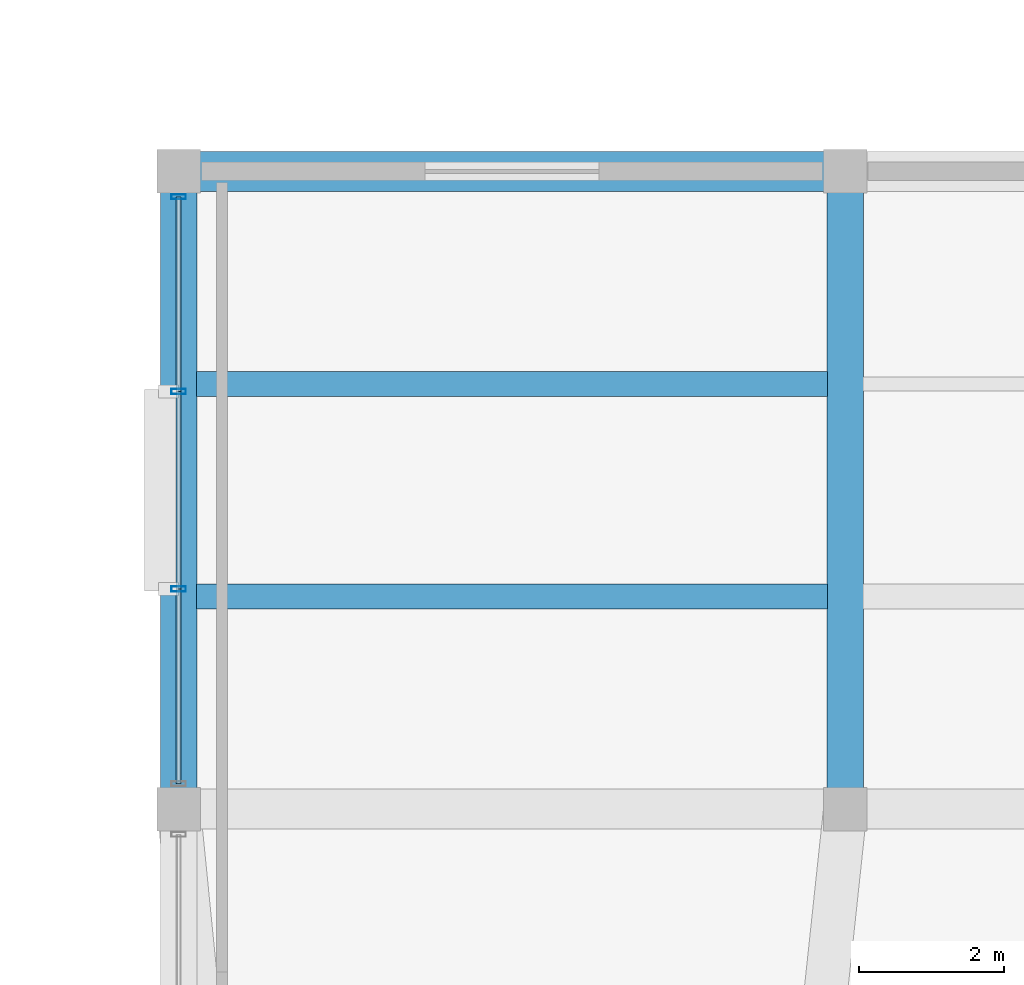
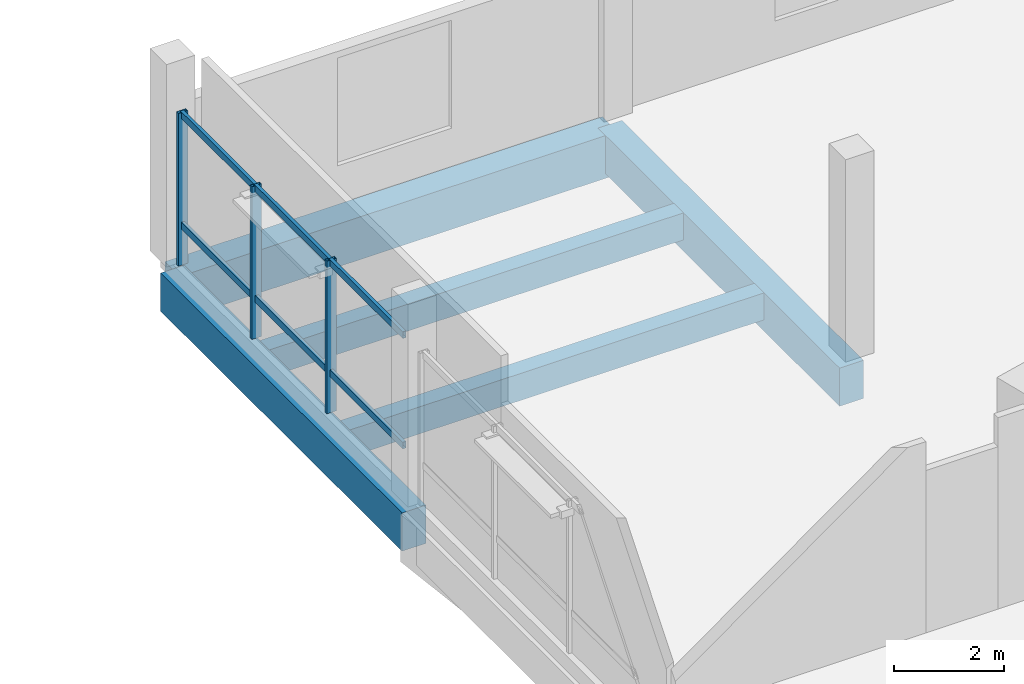
# One storey, part 38 of 77: 9 members, 5 beams, 1 element without a shape of its own.
"""IFC4 building model written with IfcOpenShell, lengths in metres."""

from ifc_helpers import new_model, si_unit, direction, frame, origin, origin_2d, place, context, subcontext, project, spatial, rectangle, hollow_rectangle, extrude, material, layer, layer_set, material_profile, profile_set, type_object, element, aggregate, save


model = new_model("IFC4")

# Units and contexts
model_context = context("Model", 3, precision=1e-05, world=origin(), true_north=direction((0.0, 1.0)))
body_context = subcontext(model_context, "Body", "Model", "MODEL_VIEW")
ifc_project = project(units=[si_unit("LENGTHUNIT", "METRE"), si_unit("AREAUNIT", "SQUARE_METRE"), si_unit("VOLUMEUNIT", "CUBIC_METRE"), si_unit("PLANEANGLEUNIT", "RADIAN"), si_unit("MASSUNIT", "GRAM", prefix="KILO")], contexts=[model_context])

# Site, building, storey
site_placement = place(None, origin())
site = spatial("IfcSite", under=ifc_project, at=site_placement, CompositionType="ELEMENT")
building_placement = place(site_placement, origin())
building = spatial("IfcBuilding", under=site, at=building_placement, Name="Meriwether Solvik Hall", CompositionType="ELEMENT")
storey_placement = place(building_placement, frame((0.0, 0.0, 9.89990234375)))
storey = spatial("IfcBuildingStorey", under=building, at=storey_placement, Name="L02", CompositionType="ELEMENT", Elevation=9.89990234375)

# Beams
ifc_material_1 = material(Name="Concrete C40/50", Category="concrete")
ifc_material_profile_1 = material_profile(ifc_material_1, rectangle(XDim=0.35009765625, YDim=0.60009765625, at=origin_2d()), Name="RCB-350X600")
ifc_profile_set_1 = profile_set([ifc_material_profile_1], Name="Concrete C40/50")
beam_type_1 = type_object("IfcBeamType", Name="BM-RC-350X600", PredefinedType="JOIST", material=ifc_profile_set_1)
for number, where, z_axis, x_axis, name in (
    (1, (59.64501953125, 86.933349609375, -0.6298828125), (1.0, 0.0, 0.0), (0.0, 1.0, 0.0), "Secondary Floor Joist 7/J_J1 (L02)"),
    (2, (59.64501953125, 89.86669921875, -0.6298828125), (1.0, 0.0, 0.0), (0.0, 1.0, 0.0), "Secondary Floor Joist 7/J_J2 (L02)"),
):
    element("IfcBeam", number, at=place(storey_placement, frame(where, z_axis=z_axis, x_axis=x_axis)), inside=storey, type_object=beam_type_1, Name=name, PredefinedType="JOIST", context=body_context, shape_type="SweptSolid", body=[
        extrude(rectangle(XDim=0.35009765625, YDim=0.60009765625, at=origin_2d()), origin(), (0.0, 0.0, 1.0), 8.7099609375),
    ])
ifc_material_2 = material(Name="Concrete C40/50", Category="concrete")
ifc_material_profile_2 = material_profile(ifc_material_2, rectangle(XDim=0.5, YDim=0.85009765625, at=origin_2d()), Name="RCB-500X850")
ifc_profile_set_2 = profile_set([ifc_material_profile_2], Name="Concrete C40/50")
beam_type_2 = type_object("IfcBeamType", Name="BM-RC-500X850", PredefinedType="BEAM", material=ifc_profile_set_2)
for number, where, z_axis, x_axis, name in (
    (3, (59.39990234375, 84.0, -0.7548828125), (0.0, 1.0, 0.0), (-1.0, 0.0, 0.0), "Podium Girder 7:J-K (L02)"),
    (4, (68.60009765625, 84.0, -0.7548828125), (0.0, 1.0, 0.0), (-1.0, 0.0, 0.0), "Podium Girder 8:J-K (L02)"),
):
    element("IfcBeam", number, at=place(storey_placement, frame(where, z_axis=z_axis, x_axis=x_axis)), inside=storey, type_object=beam_type_2, Name=name, PredefinedType="BEAM", context=body_context, shape_type="SweptSolid", body=[
        extrude(rectangle(XDim=0.5, YDim=0.85009765625, at=origin_2d()), origin(), (0.0, 0.0, 1.0), 8.800048828125),
    ])
ifc_material_3 = material(Name="Concrete C40/50", Category="concrete")
ifc_material_profile_3 = material_profile(ifc_material_3, rectangle(XDim=0.550048828125, YDim=0.949951171875, at=origin_2d()), Name="RCB-550X950")
ifc_profile_set_3 = profile_set([ifc_material_profile_3], Name="Concrete C40/50")
beam_type_3 = type_object("IfcBeamType", Name="BM-RC-550X950", PredefinedType="BEAM", material=ifc_profile_set_3)
beam_placement = place(storey_placement, frame((59.39990234375, 92.800048828125, -0.804931640625), z_axis=(1.0, 0.0, 0.0), x_axis=(0.0, 1.0, 0.0)))
element("IfcBeam", 5, at=beam_placement, inside=storey, type_object=beam_type_3, Name="Podium Girder K:7-8 (L02)", PredefinedType="BEAM", context=body_context, shape_type="SweptSolid", body=[
    extrude(rectangle(XDim=0.550048828125, YDim=0.949951171875, at=origin_2d()), origin(), (0.0, 0.0, 1.0), 9.2001953125),
])

# Curtain wall, members
ifc_material_4 = material(Name="Thermally Broken Anodised Aluminium 6063-T6 and Low-E Glass", Category="aluminium")
ifc_layer = layer(ifc_material_4, 0.179931640625)
ifc_layer_set = layer_set([ifc_layer], Name="Thermally Broken Anodised Aluminium 6063-T6 and Low-E Glass")
curtain_wall_type = type_object("IfcCurtainWallType", Name="CW-SF-POD-C", PredefinedType="USERDEFINED", material=ifc_layer_set)
curtain_wall_placement = place(storey_placement, origin())
curtain_wall = element("IfcCurtainWall", 6, at=curtain_wall_placement, inside=storey, type_object=curtain_wall_type, Name="Curtain Wall wing_Y7_10_33 (L02)", ObjectType="STICK STOREFRONT GLAZING", PredefinedType="USERDEFINED")
ifc_material_5 = material(Name="Anodised Aluminium 6063-T6", Category="aluminium")
ifc_material_profile_4 = material_profile(ifc_material_5, hollow_rectangle(XDim=0.070068359375, YDim=0.199951171875, WallThickness=0.0048828125, at=origin_2d()), Name="CWM-70X200")
ifc_profile_set_4 = profile_set([ifc_material_profile_4], Name="Anodised Aluminium 6063-T6")
member_type_1 = type_object("IfcMemberType", Name="CW-MUL-70X200", PredefinedType="MULLION", material=ifc_profile_set_4)
member_1_placement = place(storey_placement, frame((59.39990234375, 87.037353515625, 0.0), z_axis=(0.0, 0.0, 1.0), x_axis=(0.0, 1.0, 0.0)))
member_1 = element("IfcMember", 7, at=member_1_placement, type_object=member_type_1, Name="Curtain Wall Mullion 2", PredefinedType="MULLION", context=body_context, shape_type="SweptSolid", body=[
    extrude(hollow_rectangle(XDim=0.070068359375, YDim=0.199951171875, WallThickness=0.0048828125, at=origin_2d()), origin(), (0.0, 0.0, 1.0), 3.39501953125),
])
member_2_placement = place(storey_placement, frame((59.39990234375, 89.7626953125, 0.0), z_axis=(0.0, 0.0, 1.0), x_axis=(0.0, 1.0, 0.0)))
member_2 = element("IfcMember", 8, at=member_2_placement, type_object=member_type_1, Name="Curtain Wall Mullion 3", PredefinedType="MULLION", context=body_context, shape_type="SweptSolid", body=[
    extrude(hollow_rectangle(XDim=0.070068359375, YDim=0.199951171875, WallThickness=0.0048828125, at=origin_2d()), origin(), (0.0, 0.0, 1.0), 3.39501953125),
])
member_3_placement = place(storey_placement, frame((59.39990234375, 92.449951171875, 0.0), z_axis=(0.0, 0.0, 1.0), x_axis=(0.0, 1.0, 0.0)))
member_3 = element("IfcMember", 9, at=member_3_placement, type_object=member_type_1, Name="Curtain Wall Mullion 4", PredefinedType="MULLION", context=body_context, shape_type="SweptSolid", body=[
    extrude(hollow_rectangle(XDim=0.070068359375, YDim=0.199951171875, WallThickness=0.0048828125, at=origin_2d()), origin(), (0.0, 0.0, 1.0), 3.39501953125),
])
ifc_material_6 = material(Name="Anodised Aluminium 6063-T6", Category="aluminium")
ifc_material_profile_5 = material_profile(ifc_material_6, hollow_rectangle(XDim=0.070068359375, YDim=0.14990234375, WallThickness=0.0048828125, at=origin_2d()), Name="CWT-70X150")
ifc_profile_set_5 = profile_set([ifc_material_profile_5], Name="Anodised Aluminium 6063-T6")
member_type_2 = type_object("IfcMemberType", Name="CW-TRN-70X150", PredefinedType="USERDEFINED", material=ifc_profile_set_5)
member_4_placement = place(storey_placement, frame((59.39990234375, 84.35009765625, 0.880126953125), z_axis=(0.0, 1.0, 0.0), x_axis=(-1.0, 0.0, 0.0)))
member_4 = element("IfcMember", 10, at=member_4_placement, type_object=member_type_2, Name="Curtain Wall Transom 1-sill", ObjectType="TRANSOM", PredefinedType="USERDEFINED", context=body_context, shape_type="SweptSolid", body=[
    extrude(hollow_rectangle(XDim=0.070068359375, YDim=0.14990234375, WallThickness=0.0048828125, at=origin_2d()), origin(), (0.0, 0.0, 1.0), 2.687255859375),
])
member_5_placement = place(storey_placement, frame((59.39990234375, 84.35009765625, 3.335205078125), z_axis=(0.0, 1.0, 0.0), x_axis=(-1.0, 0.0, 0.0)))
member_5 = element("IfcMember", 11, at=member_5_placement, type_object=member_type_2, Name="Curtain Wall Transom 1-head", ObjectType="TRANSOM", PredefinedType="USERDEFINED", context=body_context, shape_type="SweptSolid", body=[
    extrude(hollow_rectangle(XDim=0.070068359375, YDim=0.14990234375, WallThickness=0.0048828125, at=origin_2d()), origin(), (0.0, 0.0, 1.0), 2.687255859375),
])
member_6_placement = place(storey_placement, frame((59.39990234375, 87.037353515625, 0.880126953125), z_axis=(0.0, 1.0, 0.0), x_axis=(-1.0, 0.0, 0.0)))
member_6 = element("IfcMember", 12, at=member_6_placement, type_object=member_type_2, Name="Curtain Wall Transom 2-sill", ObjectType="TRANSOM", PredefinedType="USERDEFINED", context=body_context, shape_type="SweptSolid", body=[
    extrude(hollow_rectangle(XDim=0.070068359375, YDim=0.14990234375, WallThickness=0.0048828125, at=origin_2d()), origin(), (0.0, 0.0, 1.0), 2.725341796875),
])
member_7_placement = place(storey_placement, frame((59.39990234375, 87.037353515625, 3.335205078125), z_axis=(0.0, 1.0, 0.0), x_axis=(-1.0, 0.0, 0.0)))
member_7 = element("IfcMember", 13, at=member_7_placement, type_object=member_type_2, Name="Curtain Wall Transom 2-head", ObjectType="TRANSOM", PredefinedType="USERDEFINED", context=body_context, shape_type="SweptSolid", body=[
    extrude(hollow_rectangle(XDim=0.070068359375, YDim=0.14990234375, WallThickness=0.0048828125, at=origin_2d()), origin(), (0.0, 0.0, 1.0), 2.725341796875),
])
member_8_placement = place(storey_placement, frame((59.39990234375, 89.7626953125, 0.880126953125), z_axis=(0.0, 1.0, 0.0), x_axis=(-1.0, 0.0, 0.0)))
member_8 = element("IfcMember", 14, at=member_8_placement, type_object=member_type_2, Name="Curtain Wall Transom 3-sill", ObjectType="TRANSOM", PredefinedType="USERDEFINED", context=body_context, shape_type="SweptSolid", body=[
    extrude(hollow_rectangle(XDim=0.070068359375, YDim=0.14990234375, WallThickness=0.0048828125, at=origin_2d()), origin(), (0.0, 0.0, 1.0), 2.687255859375),
])
member_9_placement = place(storey_placement, frame((59.39990234375, 89.7626953125, 3.335205078125), z_axis=(0.0, 1.0, 0.0), x_axis=(-1.0, 0.0, 0.0)))
member_9 = element("IfcMember", 15, at=member_9_placement, type_object=member_type_2, Name="Curtain Wall Transom 3-head", ObjectType="TRANSOM", PredefinedType="USERDEFINED", context=body_context, shape_type="SweptSolid", body=[
    extrude(hollow_rectangle(XDim=0.070068359375, YDim=0.14990234375, WallThickness=0.0048828125, at=origin_2d()), origin(), (0.0, 0.0, 1.0), 2.687255859375),
])
aggregate(curtain_wall, [member_1, member_2, member_3, member_4, member_5, member_6, member_7, member_8, member_9])

save(model, "model.ifc")
